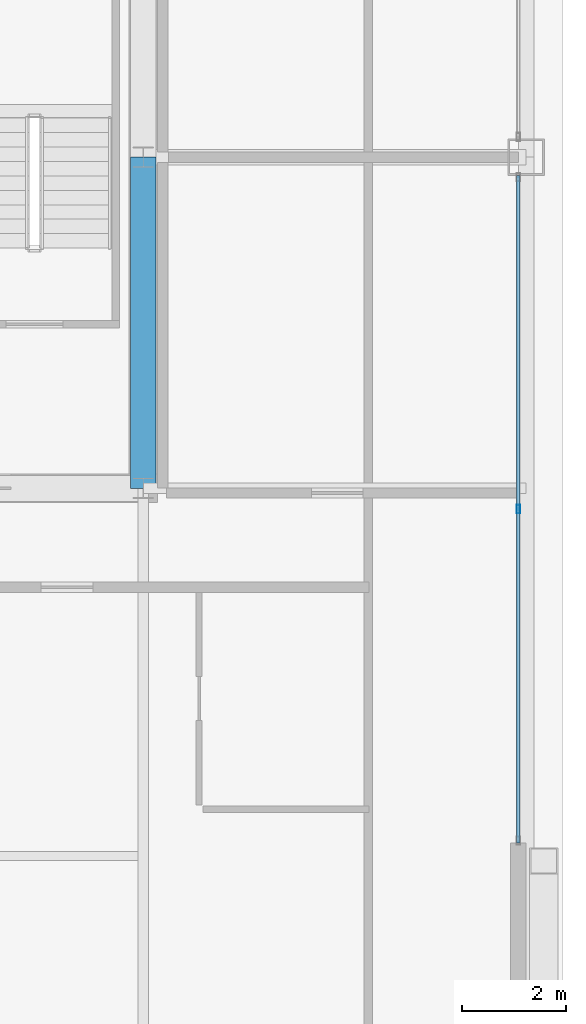
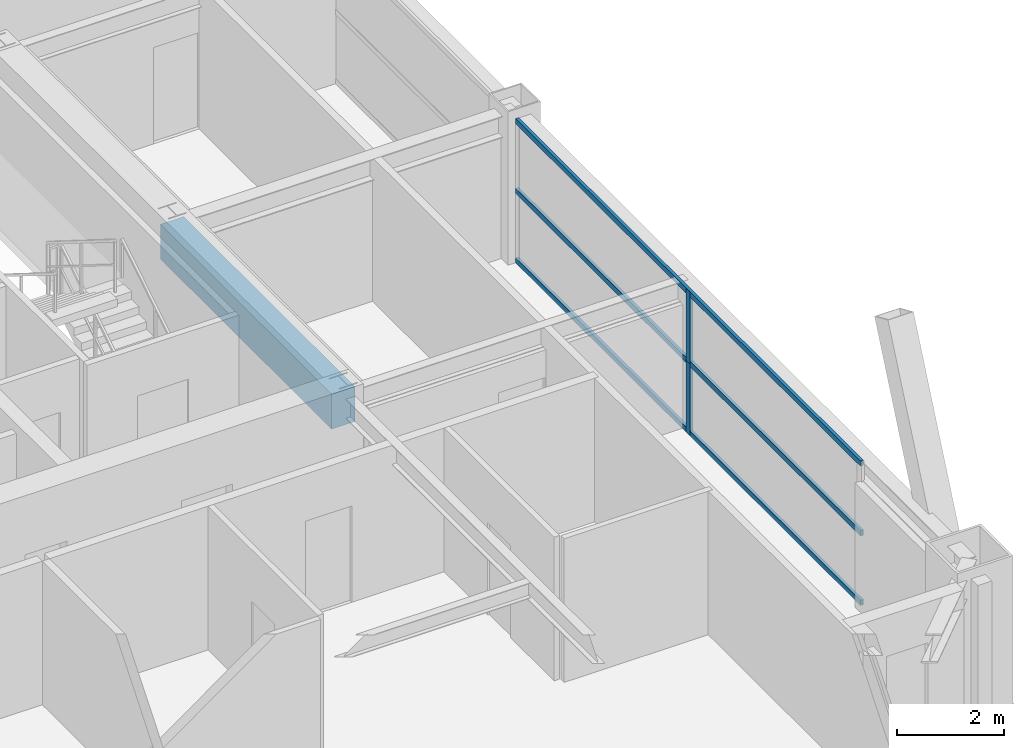
# One storey, part 16 of 33: 5 members, 1 beam, 1 element without a shape of its own.
"""IFC4 building model written with IfcOpenShell, lengths in metres."""

from ifc_helpers import new_model, si_unit, direction, frame, origin, origin_2d, place, context, subcontext, project, spatial, rectangle, hollow_rectangle, extrude, source, transform, mapped, material, layer, layer_set, material_profile, profile_set, type_object, element, aggregate, save


model = new_model("IFC4")

# Units and contexts
model_context = context("Model", 3, precision=1e-05, world=origin(), true_north=direction((0.0, 1.0)))
body_context = subcontext(model_context, "Body", "Model", "MODEL_VIEW")
ifc_project = project(units=[si_unit("LENGTHUNIT", "METRE"), si_unit("AREAUNIT", "SQUARE_METRE"), si_unit("VOLUMEUNIT", "CUBIC_METRE"), si_unit("PLANEANGLEUNIT", "RADIAN"), si_unit("MASSUNIT", "GRAM", prefix="KILO"), si_unit("THERMODYNAMICTEMPERATUREUNIT", "KELVIN"), si_unit("POWERUNIT", "WATT")], contexts=[model_context])

# Site, building, storey
site_placement = place(None, origin())
site = spatial("IfcSite", under=ifc_project, at=site_placement, CompositionType="ELEMENT")
building_placement = place(site_placement, origin())
building = spatial("IfcBuilding", under=site, at=building_placement, Name="Yuzanri Waterfront Tower", CompositionType="ELEMENT")
storey_placement = place(building_placement, frame((0.0, 0.0, 234.60009765625)))
storey = spatial("IfcBuildingStorey", under=building, at=storey_placement, Name="L62", CompositionType="ELEMENT", Elevation=234.60009765625)

# Beam
ifc_material_1 = material(Name="Concrete C50", Category="concrete")
ifc_material_profile_1 = material_profile(ifc_material_1, rectangle(XDim=0.5, YDim=0.800048828125, at=origin_2d()), Name="RC 500x800")
ifc_profile_set_1 = profile_set([ifc_material_profile_1], Name="Concrete C50")
beam_type = type_object("IfcBeamType", Name="Core Coupling Lintel Concrete C50 500x800", PredefinedType="LINTEL", material=ifc_profile_set_1)
shared_shape_1 = source(origin(), body_context, "Body", "SweptSolid", [
    extrude(rectangle(XDim=0.5, YDim=0.800048828125, at=origin_2d()), origin(), (0.0, 0.0, 1.0), 6.400146484375),
])
beam_placement = place(storey_placement, frame((50.199951171875, 19.39990234375, 2.8798828125), z_axis=(0.0, 1.0, 0.0), x_axis=(-1.0, 0.0, 0.0)))
element("IfcBeam", 1, at=beam_placement, inside=storey, type_object=beam_type, Name="L62 Core Tie Beam CE1", PredefinedType="LINTEL", context=body_context, shape_type="MappedRepresentation", body=[
    mapped(shared_shape_1, transform((0.0, 0.0, 0.0), scale=1.0)),
])

# Curtain wall, members
ifc_material_2 = material(Name="Anodized Architectural Bronze", Category="metal")
ifc_layer = layer(ifc_material_2, 0.159912109375)
ifc_layer_set = layer_set([ifc_layer], Name="Anodized Architectural Bronze")
curtain_wall_type = type_object("IfcCurtainWallType", Name="Anodized Bronze Mid-Rise Residential Acoustic Unitized Curtain Wall 7200", PredefinedType="NOTDEFINED", material=ifc_layer_set)
curtain_wall_placement = place(storey_placement, origin())
curtain_wall = element("IfcCurtainWall", 2, at=curtain_wall_placement, inside=storey, type_object=curtain_wall_type, Name="L62 Curtain Wall CW-L62-EL", PredefinedType="NOTDEFINED")
ifc_material_3 = material(Name="Anodized Architectural Bronze", Category="metal")
ifc_material_profile_2 = material_profile(ifc_material_3, hollow_rectangle(XDim=0.06494140625, YDim=0.159912109375, WallThickness=0.00341796875, at=origin_2d()), Name="CWM 65x160")
ifc_profile_set_2 = profile_set([ifc_material_profile_2], Name="Anodized Architectural Bronze")
member_type_1 = type_object("IfcMemberType", Name="Anodized Bronze Upper-Zone Curtain-Wall Mullion 65x160", PredefinedType="MULLION", material=ifc_profile_set_2)
shared_shape_2 = source(origin(), body_context, "Body", "SweptSolid", [
    extrude(hollow_rectangle(XDim=0.06494140625, YDim=0.159912109375, WallThickness=0.00341796875, at=origin_2d()), origin(), (0.0, 0.0, 1.0), 1.637939453125),
])
member_1_placement = place(storey_placement, frame((57.449951171875, 19.0, 0.0), z_axis=(0.0, 0.0, 1.0), x_axis=(1.0, 0.0, 0.0)))
member_1 = element("IfcMember", 3, at=member_1_placement, type_object=member_type_1, Name="CW-L62-EL Lower Mullion 01", PredefinedType="MULLION", context=body_context, shape_type="MappedRepresentation", body=[
    mapped(shared_shape_2, transform((0.0, 0.0, 0.0), scale=1.0)),
])
member_2_placement = place(storey_placement, frame((57.449951171875, 19.0, 1.641845703125), z_axis=(0.0, 0.0, 1.0), x_axis=(1.0, 0.0, 0.0)))
member_2 = element("IfcMember", 4, at=member_2_placement, type_object=member_type_1, Name="CW-L62-EL Upper Mullion 01", PredefinedType="MULLION", context=body_context, shape_type="MappedRepresentation", body=[
    mapped(shared_shape_2, transform((0.0, 0.0, 0.0), scale=1.0)),
])
ifc_material_4 = material(Name="Anodized Architectural Bronze", Category="metal")
ifc_material_profile_3 = material_profile(ifc_material_4, hollow_rectangle(XDim=0.06494140625, YDim=0.1201171875, WallThickness=0.00341796875, at=origin_2d()), Name="CWT 65x120")
ifc_profile_set_3 = profile_set([ifc_material_profile_3], Name="Anodized Architectural Bronze")
member_type_2 = type_object("IfcMemberType", Name="Anodized Bronze Secondary Curtain-Wall Transom 65x120", PredefinedType="USERDEFINED", material=ifc_profile_set_3)
shared_shape_3 = source(origin(), body_context, "Body", "SweptSolid", [
    extrude(hollow_rectangle(XDim=0.06494140625, YDim=0.1201171875, WallThickness=0.00341796875, at=origin_2d()), origin(), (0.0, 0.0, 1.0), 12.89990234375),
])
member_3_placement = place(storey_placement, frame((57.449951171875, 12.550048828125, 0.0498046875), z_axis=(0.0, 1.0, 0.0), x_axis=(-1.0, 0.0, 0.0)))
member_3 = element("IfcMember", 5, at=member_3_placement, type_object=member_type_2, Name="CW-L62-EL Transom 1", ObjectType="TRANSOM", PredefinedType="USERDEFINED", context=body_context, shape_type="MappedRepresentation", body=[
    mapped(shared_shape_3, transform((0.0, 0.0, 0.0), scale=1.0)),
])
member_4_placement = place(storey_placement, frame((57.449951171875, 12.550048828125, 1.639892578125), z_axis=(0.0, 1.0, 0.0), x_axis=(-1.0, 0.0, 0.0)))
member_4 = element("IfcMember", 6, at=member_4_placement, type_object=member_type_2, Name="CW-L62-EL Transom 2", ObjectType="TRANSOM", PredefinedType="USERDEFINED", context=body_context, shape_type="MappedRepresentation", body=[
    mapped(shared_shape_3, transform((0.0, 0.0, 0.0), scale=1.0)),
])
member_5_placement = place(storey_placement, frame((57.449951171875, 12.550048828125, 3.22998046875), z_axis=(0.0, 1.0, 0.0), x_axis=(-1.0, 0.0, 0.0)))
member_5 = element("IfcMember", 7, at=member_5_placement, type_object=member_type_2, Name="CW-L62-EL Transom 3", ObjectType="TRANSOM", PredefinedType="USERDEFINED", context=body_context, shape_type="MappedRepresentation", body=[
    mapped(shared_shape_3, transform((0.0, 0.0, 0.0), scale=1.0)),
])
aggregate(curtain_wall, [member_1, member_2, member_3, member_4, member_5])

save(model, "model.ifc")
